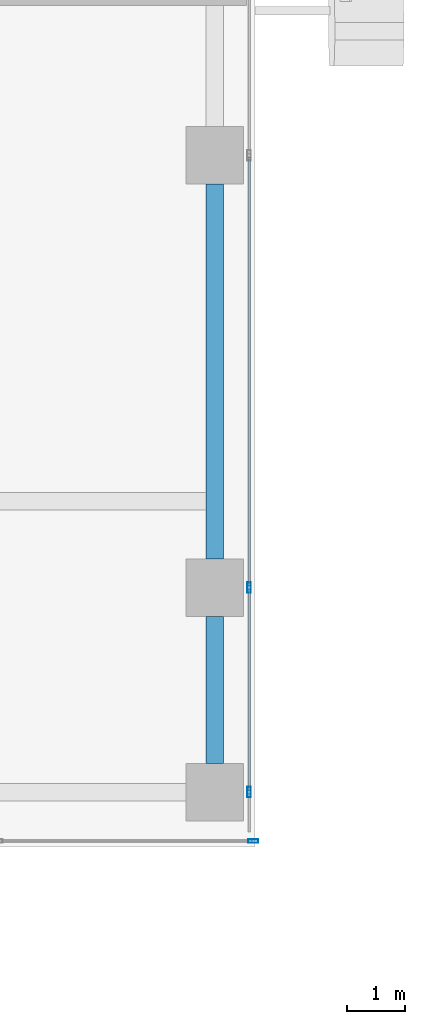
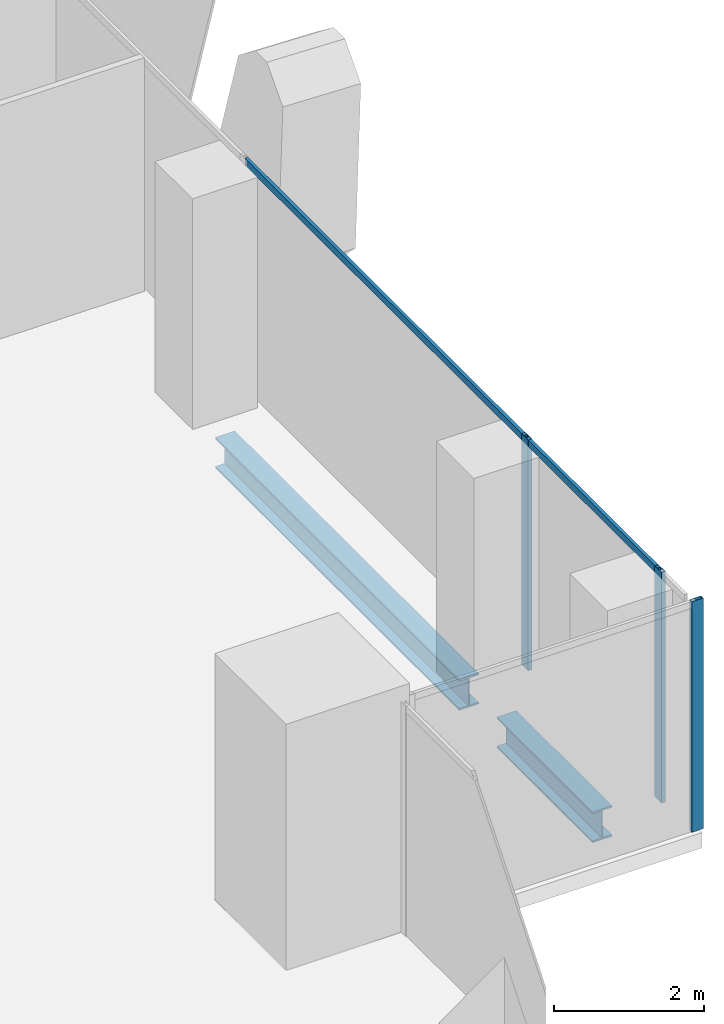
# One storey, part 11 of 40: 5 members, 2 beams, 2 elements without a shape of their own.
"""IFC4 building model written with IfcOpenShell, lengths in metres."""

from ifc_helpers import new_model, si_unit, direction, frame, origin, origin_2d, place, context, subcontext, project, spatial, hollow_rectangle, i_section, extrude, source, transform, mapped, material, material_profile, profile_set, type_object, element, aggregate, save


model = new_model("IFC4")

# Units and contexts
model_context = context("Model", 3, precision=1e-05, world=origin(), true_north=direction((0.0, 1.0)))
body_context = subcontext(model_context, "Body", "Model", "MODEL_VIEW")
ifc_project = project(units=[si_unit("LENGTHUNIT", "METRE"), si_unit("AREAUNIT", "SQUARE_METRE"), si_unit("VOLUMEUNIT", "CUBIC_METRE"), si_unit("PLANEANGLEUNIT", "RADIAN"), si_unit("MASSUNIT", "GRAM", prefix="KILO")], contexts=[model_context])

# Site, building, storey
site_placement = place(None, origin())
site = spatial("IfcSite", under=ifc_project, at=site_placement, CompositionType="ELEMENT")
building_placement = place(site_placement, origin())
building = spatial("IfcBuilding", under=site, at=building_placement, Name="Khomas Fold Tower", CompositionType="ELEMENT")
storey_placement = place(building_placement, frame((0.0, 0.0, 176.699951171875)))
storey = spatial("IfcBuildingStorey", under=building, at=storey_placement, Name="L38", CompositionType="ELEMENT", Elevation=176.699951171875)

# Beams
ifc_material_1 = material(Name="Steel S355", Category="steel")
ifc_material_profile_1 = material_profile(ifc_material_1, i_section(OverallWidth=0.300048828125, OverallDepth=0.5, WebThickness=0.014404296875, FlangeThickness=0.028076171875, at=origin_2d()), Name="HE 500 B")
ifc_profile_set_1 = profile_set([ifc_material_profile_1], Name="Steel S355")
beam_type = type_object("IfcBeamType", Name="HE 500 B spandrel SB3", PredefinedType="SPANDREL", material=ifc_profile_set_1)
shared_shape_1 = source(origin(), body_context, "Body", "SweptSolid", [
    extrude(i_section(OverallWidth=0.300048828125, OverallDepth=0.5, WebThickness=0.014404296875, FlangeThickness=0.028076171875, at=origin_2d()), origin(), (0.0, 0.0, 1.0), 2.550048828125),
])
beam_1_placement = place(storey_placement, frame((50.300048828125, 8.949951171875, -0.5), z_axis=(0.0, 1.0, 0.0), x_axis=(-1.0, 0.0, 0.0)))
element("IfcBeam", 1, at=beam_1_placement, inside=storey, type_object=beam_type, Name="SB3", PredefinedType="SPANDREL", context=body_context, shape_type="MappedRepresentation", body=[
    mapped(shared_shape_1, transform((0.0, 0.0, 0.0))),
])
shared_shape_2 = source(origin(), body_context, "Body", "SweptSolid", [
    extrude(i_section(OverallWidth=0.300048828125, OverallDepth=0.5, WebThickness=0.014404296875, FlangeThickness=0.028076171875, at=origin_2d()), origin(), (0.0, 0.0, 1.0), 6.5),
])
beam_2_placement = place(storey_placement, frame((50.300048828125, 12.5, -0.5), z_axis=(0.0, 1.0, 0.0), x_axis=(-1.0, 0.0, 0.0)))
element("IfcBeam", 2, at=beam_2_placement, inside=storey, type_object=beam_type, Name="SB3", PredefinedType="SPANDREL", context=body_context, shape_type="MappedRepresentation", body=[
    mapped(shared_shape_2, transform((0.0, 0.0, 0.0))),
])

# Curtain wall, member
ifc_material_2 = material(Name="Aluminium framed double glazing", Category="aluminium")
curtain_wall_type = type_object("IfcCurtainWallType", Name="SK-Unitised clear-glass wall, office floors CW2", PredefinedType="NOTDEFINED", material=ifc_material_2)
curtain_wall_1_placement = place(storey_placement, origin())
curtain_wall_1 = element("IfcCurtainWall", 3, at=curtain_wall_1_placement, inside=storey, type_object=curtain_wall_type, Name="CW2 corner return L38 07", PredefinedType="NOTDEFINED")
ifc_material_3 = material(Name="Aluminium", Category="aluminium")
ifc_material_profile_2 = material_profile(ifc_material_3, hollow_rectangle(XDim=0.06005859375, YDim=0.179931640625, WallThickness=0.00390625, at=origin_2d()), Name="SK-Unitised clear-glass wall, office floors mullion CW2-M")
ifc_profile_set_2 = profile_set([ifc_material_profile_2], Name="Aluminium")
member_type_1 = type_object("IfcMemberType", Name="SK-Unitised clear-glass wall, office floors mullion CW2-M", PredefinedType="MULLION", material=ifc_profile_set_2)
shared_shape_3 = source(origin(), body_context, "Body", "SweptSolid", [
    extrude(hollow_rectangle(XDim=0.06005859375, YDim=0.179931640625, WallThickness=0.00390625, at=origin_2d()), origin(), (0.0, 0.0, 1.0), 3.75),
])
member_1_placement = place(storey_placement, frame((50.969970703125, 7.60009765625, 0.0), z_axis=(0.0, 0.0, 1.0), x_axis=(0.0, 1.0, 0.0)))
member_1 = element("IfcMember", 4, at=member_1_placement, type_object=member_type_1, Name="CW2 mullion 2", PredefinedType="MULLION", context=body_context, shape_type="MappedRepresentation", body=[
    mapped(shared_shape_3, transform((0.0, 0.0, 0.0))),
])
aggregate(curtain_wall_1, [member_1])

# Curtain wall, members
curtain_wall_2_placement = place(storey_placement, origin())
curtain_wall_2 = element("IfcCurtainWall", 5, at=curtain_wall_2_placement, inside=storey, type_object=curtain_wall_type, Name="CW2 run L38 08-0", PredefinedType="NOTDEFINED")
member_2_placement = place(storey_placement, frame((50.89990234375, 8.449951171875, 0.0), z_axis=(0.0, 0.0, 1.0), x_axis=(-1.0, 0.0, 0.0)))
member_2 = element("IfcMember", 6, at=member_2_placement, type_object=member_type_1, Name="CW2 mullion 2", PredefinedType="MULLION", context=body_context, shape_type="MappedRepresentation", body=[
    mapped(shared_shape_3, transform((0.0, 0.0, 0.0))),
])
member_3_placement = place(storey_placement, frame((50.89990234375, 12.0, 0.0), z_axis=(0.0, 0.0, 1.0), x_axis=(-1.0, 0.0, 0.0)))
member_3 = element("IfcMember", 7, at=member_3_placement, type_object=member_type_1, Name="CW2 mullion 3", PredefinedType="MULLION", context=body_context, shape_type="MappedRepresentation", body=[
    mapped(shared_shape_3, transform((0.0, 0.0, 0.0))),
])
ifc_material_4 = material(Name="Aluminium", Category="aluminium")
ifc_material_profile_3 = material_profile(ifc_material_4, hollow_rectangle(XDim=0.050048828125, YDim=0.110107421875, WallThickness=0.00390625, at=origin_2d()), Name="SK-Unitised clear-glass wall, office floors transom CW2-T")
ifc_profile_set_3 = profile_set([ifc_material_profile_3], Name="Aluminium")
member_type_2 = type_object("IfcMemberType", Name="SK-Unitised clear-glass wall, office floors transom CW2-T", PredefinedType="USERDEFINED", material=ifc_profile_set_3)
shared_shape_4 = source(origin(), body_context, "Body", "SweptSolid", [
    extrude(hollow_rectangle(XDim=0.050048828125, YDim=0.110107421875, WallThickness=0.00390625, at=origin_2d()), origin(), (0.0, 0.0, 1.0), 3.489990234375),
])
member_4_placement = place(storey_placement, frame((50.89990234375, 8.47998046875, 3.695068359375), z_axis=(0.0, 1.0, 0.0), x_axis=(-1.0, 0.0, 0.0)))
member_4 = element("IfcMember", 8, at=member_4_placement, type_object=member_type_2, Name="CW2 transom 2", ObjectType="TRANSOM", PredefinedType="USERDEFINED", context=body_context, shape_type="MappedRepresentation", body=[
    mapped(shared_shape_4, transform((0.0, 0.0, 0.0))),
])
shared_shape_5 = source(origin(), body_context, "Body", "SweptSolid", [
    extrude(hollow_rectangle(XDim=0.050048828125, YDim=0.110107421875, WallThickness=0.00390625, at=origin_2d()), origin(), (0.0, 0.0, 1.0), 7.43994140625),
])
member_5_placement = place(storey_placement, frame((50.89990234375, 12.030029296875, 3.695068359375), z_axis=(0.0, 1.0, 0.0), x_axis=(-1.0, 0.0, 0.0)))
member_5 = element("IfcMember", 9, at=member_5_placement, type_object=member_type_2, Name="CW2 transom 3", ObjectType="TRANSOM", PredefinedType="USERDEFINED", context=body_context, shape_type="MappedRepresentation", body=[
    mapped(shared_shape_5, transform((0.0, 0.0, 0.0))),
])
aggregate(curtain_wall_2, [member_2, member_3, member_4, member_5])

save(model, "model.ifc")
